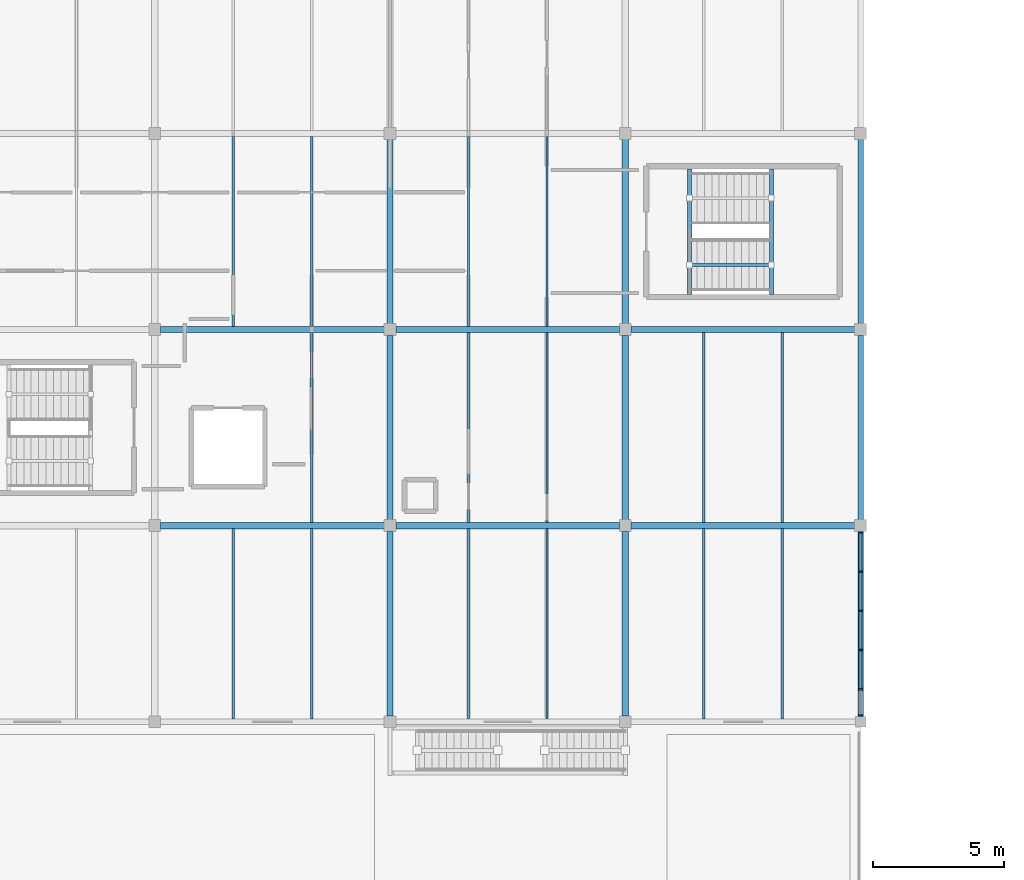
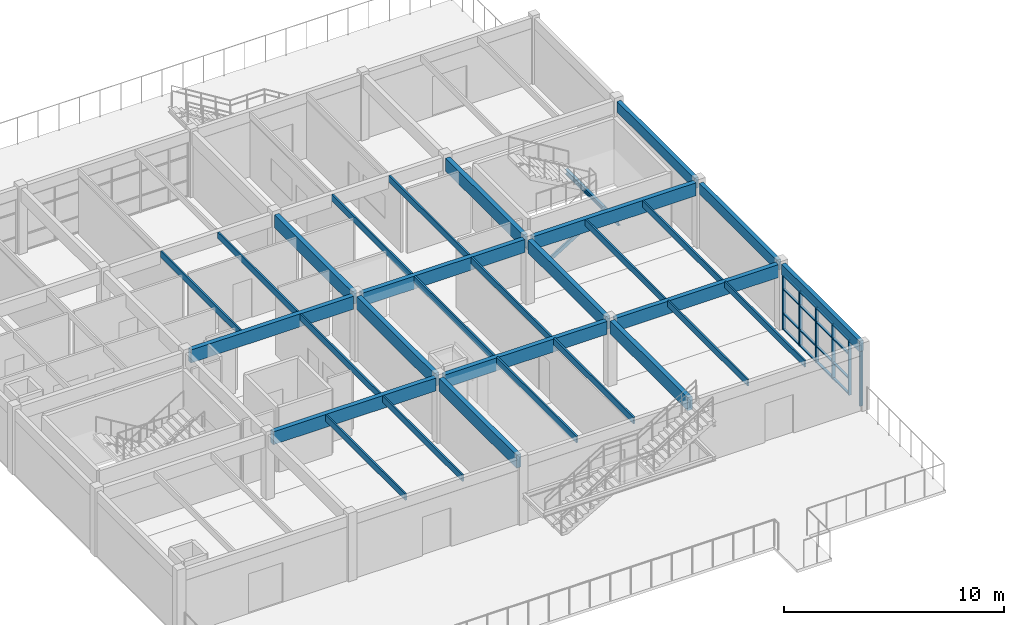
# One storey, part 10 of 45: 32 beams, 23 members, 1 element without a shape of its own.
"""IFC4 building model written with IfcOpenShell, lengths in metres."""

from ifc_helpers import new_model, si_unit, direction, frame, origin, origin_2d, place, context, subcontext, project, spatial, rectangle, hollow_rectangle, i_section, extrude, material, layer, layer_set, material_profile, profile_set, type_object, element, aggregate, save


model = new_model("IFC4")

# Units and contexts
model_context = context("Model", 3, precision=1e-05, world=origin(), true_north=direction((0.0, 1.0)))
body_context = subcontext(model_context, "Body", "Model", "MODEL_VIEW")
ifc_project = project(units=[si_unit("LENGTHUNIT", "METRE"), si_unit("AREAUNIT", "SQUARE_METRE"), si_unit("VOLUMEUNIT", "CUBIC_METRE"), si_unit("PLANEANGLEUNIT", "RADIAN"), si_unit("MASSUNIT", "GRAM", prefix="KILO")], contexts=[model_context])

# Site, building, storey
site_placement = place(None, origin())
site = spatial("IfcSite", under=ifc_project, at=site_placement, CompositionType="ELEMENT")
building_placement = place(site_placement, origin())
building = spatial("IfcBuilding", under=site, at=building_placement, Name="Marnridge Secondary College", CompositionType="ELEMENT")
storey_placement = place(building_placement, frame((0.0, 0.0, 12.300048828125)))
storey = spatial("IfcBuildingStorey", under=building, at=storey_placement, Name="L03", CompositionType="ELEMENT", Elevation=12.300048828125)

# Beams
ifc_material_1 = material(Name="Glulam timber GL18", Category="wood")
ifc_material_profile_1 = material_profile(ifc_material_1, rectangle(XDim=0.215087890625, YDim=0.5849609375, at=origin_2d()), Name="GL18 215x585")
ifc_profile_set_1 = profile_set([ifc_material_profile_1], Name="Glulam timber GL18")
beam_type_1 = type_object("IfcBeamType", Name="BM-GL585-EXT", PredefinedType="SPANDREL", material=ifc_profile_set_1)
for number, where, z_axis, x_axis, name in (
    (1, (90.0, 52.718994140625, 3.29736328125), (0.0, 1.0, 0.0), (-1.0, 0.0, 0.0), "Beam BS-L03-1061"),
    (2, (90.0, 60.218994140625, 3.29736328125), (0.0, 1.0, 0.0), (-1.0, 0.0, 0.0), "Beam BS-L03-1063"),
):
    element("IfcBeam", number, at=place(storey_placement, frame(where, z_axis=z_axis, x_axis=x_axis)), inside=storey, type_object=beam_type_1, Name=name, PredefinedType="SPANDREL", context=body_context, shape_type="SweptSolid", body=[
        extrude(rectangle(XDim=0.215087890625, YDim=0.5849609375, at=origin_2d()), origin(), (0.0, 0.0, 1.0), 7.06201171875),
    ])
beam_placement = place(storey_placement, frame((90.0, 45.194091796875, 3.347412109375), z_axis=(0.0, 1.0, 0.0), x_axis=(-1.0, 0.0, 0.0)))
element("IfcBeam", 3, at=beam_placement, inside=storey, type_object=beam_type_1, Name="Beam BS-L03-1081", PredefinedType="SPANDREL", context=body_context, shape_type="SweptSolid", body=[
    extrude(rectangle(XDim=0.215087890625, YDim=0.5849609375, at=origin_2d()), origin(), (0.0, 0.0, 1.0), 7.0869140625),
])
ifc_material_2 = material(Name="Glulam timber GL18", Category="wood")
ifc_material_profile_2 = material_profile(ifc_material_2, rectangle(XDim=0.239990234375, YDim=0.719970703125, at=origin_2d()), Name="GL18 240x720")
ifc_profile_set_2 = profile_set([ifc_material_profile_2], Name="Glulam timber GL18")
beam_type_2 = type_object("IfcBeamType", Name="BM-GL720-INT", PredefinedType="BEAM", material=ifc_profile_set_2)
for number, where, z_axis, x_axis, name in (
    (4, (63.218994140625, 52.5, 3.22998046875), (1.0, 0.0, 0.0), (0.0, 1.0, 0.0), "Beam B-L03-1049"),
    (5, (63.218994140625, 60.0, 3.22998046875), (1.0, 0.0, 0.0), (0.0, 1.0, 0.0), "Beam B-L03-1050"),
):
    element("IfcBeam", number, at=place(storey_placement, frame(where, z_axis=z_axis, x_axis=x_axis)), inside=storey, type_object=beam_type_2, Name=name, PredefinedType="BEAM", context=body_context, shape_type="SweptSolid", body=[
        extrude(rectangle(XDim=0.239990234375, YDim=0.719970703125, at=origin_2d()), origin(), (0.0, 0.0, 1.0), 8.56201171875),
    ])
for number, where, z_axis, x_axis, name in (
    (6, (72.0, 52.718994140625, 3.22998046875), (0.0, 1.0, 0.0), (-1.0, 0.0, 0.0), "Beam B-L03-1051"),
    (7, (72.0, 60.218994140625, 3.22998046875), (0.0, 1.0, 0.0), (-1.0, 0.0, 0.0), "Beam B-L03-1053"),
):
    element("IfcBeam", number, at=place(storey_placement, frame(where, z_axis=z_axis, x_axis=x_axis)), inside=storey, type_object=beam_type_2, Name=name, PredefinedType="BEAM", context=body_context, shape_type="SweptSolid", body=[
        extrude(rectangle(XDim=0.239990234375, YDim=0.719970703125, at=origin_2d()), origin(), (0.0, 0.0, 1.0), 7.06201171875),
    ])
for number, where, z_axis, x_axis, name in (
    (8, (72.218994140625, 52.5, 3.22998046875), (1.0, 0.0, 0.0), (0.0, 1.0, 0.0), "Beam B-L03-1054"),
    (9, (72.218994140625, 60.0, 3.22998046875), (1.0, 0.0, 0.0), (0.0, 1.0, 0.0), "Beam B-L03-1055"),
):
    element("IfcBeam", number, at=place(storey_placement, frame(where, z_axis=z_axis, x_axis=x_axis)), inside=storey, type_object=beam_type_2, Name=name, PredefinedType="BEAM", context=body_context, shape_type="SweptSolid", body=[
        extrude(rectangle(XDim=0.239990234375, YDim=0.719970703125, at=origin_2d()), origin(), (0.0, 0.0, 1.0), 8.56201171875),
    ])
for number, where, z_axis, x_axis, name in (
    (10, (81.0, 52.718994140625, 3.22998046875), (0.0, 1.0, 0.0), (-1.0, 0.0, 0.0), "Beam B-L03-1056"),
    (11, (81.0, 60.218994140625, 3.22998046875), (0.0, 1.0, 0.0), (-1.0, 0.0, 0.0), "Beam B-L03-1058"),
):
    element("IfcBeam", number, at=place(storey_placement, frame(where, z_axis=z_axis, x_axis=x_axis)), inside=storey, type_object=beam_type_2, Name=name, PredefinedType="BEAM", context=body_context, shape_type="SweptSolid", body=[
        extrude(rectangle(XDim=0.239990234375, YDim=0.719970703125, at=origin_2d()), origin(), (0.0, 0.0, 1.0), 7.06201171875),
    ])
for number, where, z_axis, x_axis, name in (
    (12, (81.218994140625, 52.5, 3.22998046875), (1.0, 0.0, 0.0), (0.0, 1.0, 0.0), "Beam B-L03-1059"),
    (13, (81.218994140625, 60.0, 3.22998046875), (1.0, 0.0, 0.0), (0.0, 1.0, 0.0), "Beam B-L03-1060"),
):
    element("IfcBeam", number, at=place(storey_placement, frame(where, z_axis=z_axis, x_axis=x_axis)), inside=storey, type_object=beam_type_2, Name=name, PredefinedType="BEAM", context=body_context, shape_type="SweptSolid", body=[
        extrude(rectangle(XDim=0.239990234375, YDim=0.719970703125, at=origin_2d()), origin(), (0.0, 0.0, 1.0), 8.56201171875),
    ])
for number, where, z_axis, x_axis, name in (
    (14, (72.0, 45.218994140625, 3.22998046875), (0.0, 1.0, 0.0), (-1.0, 0.0, 0.0), "Beam B-L03-1068"),
    (15, (81.0, 45.218994140625, 3.280029296875), (0.0, 1.0, 0.0), (-1.0, 0.0, 0.0), "Beam B-L03-1079"),
):
    element("IfcBeam", number, at=place(storey_placement, frame(where, z_axis=z_axis, x_axis=x_axis)), inside=storey, type_object=beam_type_2, Name=name, PredefinedType="BEAM", context=body_context, shape_type="SweptSolid", body=[
        extrude(rectangle(XDim=0.239990234375, YDim=0.719970703125, at=origin_2d()), origin(), (0.0, 0.0, 1.0), 7.06201171875),
    ])
ifc_material_3 = material(Name="Engineered timber LVL E13.2", Category="wood")
ifc_material_profile_3 = material_profile(ifc_material_3, rectangle(XDim=0.090087890625, YDim=0.360107421875, at=origin_2d()), Name="LVL 90x360")
ifc_profile_set_3 = profile_set([ifc_material_profile_3], Name="Engineered timber LVL E13.2")
beam_type_3 = type_object("IfcBeamType", Name="BM-LVL360-INT", PredefinedType="JOIST", material=ifc_profile_set_3)
for number, where, z_axis, x_axis, name in (
    (16, (69.0, 52.614013671875, 3.409912109375), (0.0, 1.0, 0.0), (-1.0, 0.0, 0.0), "Beam BJ-L03-1084"),
    (17, (66.0, 60.114013671875, 3.409912109375), (0.0, 1.0, 0.0), (-1.0, 0.0, 0.0), "Beam BJ-L03-1085"),
    (18, (69.0, 60.114013671875, 3.409912109375), (0.0, 1.0, 0.0), (-1.0, 0.0, 0.0), "Beam BJ-L03-1086"),
    (19, (75.0, 52.614013671875, 3.409912109375), (0.0, 1.0, 0.0), (-1.0, 0.0, 0.0), "Beam BJ-L03-1087"),
    (20, (78.0, 52.614013671875, 3.409912109375), (0.0, 1.0, 0.0), (-1.0, 0.0, 0.0), "Beam BJ-L03-1088"),
    (21, (75.0, 60.114013671875, 3.409912109375), (0.0, 1.0, 0.0), (-1.0, 0.0, 0.0), "Beam BJ-L03-1089"),
    (22, (78.0, 60.114013671875, 3.409912109375), (0.0, 1.0, 0.0), (-1.0, 0.0, 0.0), "Beam BJ-L03-1090"),
    (23, (84.0, 52.614013671875, 3.409912109375), (0.0, 1.0, 0.0), (-1.0, 0.0, 0.0), "Beam BJ-L03-1091"),
    (24, (87.0, 52.614013671875, 3.409912109375), (0.0, 1.0, 0.0), (-1.0, 0.0, 0.0), "Beam BJ-L03-1092"),
):
    element("IfcBeam", number, at=place(storey_placement, frame(where, z_axis=z_axis, x_axis=x_axis)), inside=storey, type_object=beam_type_3, Name=name, PredefinedType="JOIST", context=body_context, shape_type="SweptSolid", body=[
        extrude(rectangle(XDim=0.090087890625, YDim=0.360107421875, at=origin_2d()), origin(), (0.0, 0.0, 1.0), 7.27197265625),
    ])
for number, where, z_axis, x_axis, name in (
    (25, (66.0, 45.1015625, 3.409912109375), (0.0, 1.0, 0.0), (-1.0, 0.0, 0.0), "Beam BJ-L03-1095"),
    (26, (69.0, 45.1015625, 3.409912109375), (0.0, 1.0, 0.0), (-1.0, 0.0, 0.0), "Beam BJ-L03-1096"),
    (27, (75.0, 45.1015625, 3.4599609375), (0.0, 1.0, 0.0), (-1.0, 0.0, 0.0), "Beam BJ-L03-1105"),
    (28, (78.0, 45.1015625, 3.4599609375), (0.0, 1.0, 0.0), (-1.0, 0.0, 0.0), "Beam BJ-L03-1106"),
    (29, (84.0, 45.1015625, 3.4599609375), (0.0, 1.0, 0.0), (-1.0, 0.0, 0.0), "Beam BJ-L03-1107"),
    (30, (87.0, 45.1015625, 3.4599609375), (0.0, 1.0, 0.0), (-1.0, 0.0, 0.0), "Beam BJ-L03-1108"),
):
    element("IfcBeam", number, at=place(storey_placement, frame(where, z_axis=z_axis, x_axis=x_axis)), inside=storey, type_object=beam_type_3, Name=name, PredefinedType="JOIST", context=body_context, shape_type="SweptSolid", body=[
        extrude(rectangle(XDim=0.090087890625, YDim=0.360107421875, at=origin_2d()), origin(), (0.0, 0.0, 1.0), 7.284423828125),
    ])
ifc_material_4 = material(Name="Structural steel Grade 350 (AS/NZS 3679.1/.2, fy = 340-360 MPa)", Category="steel")
ifc_material_profile_4 = material_profile(ifc_material_4, i_section(OverallWidth=0.146240234375, OverallDepth=0.256103515625, WebThickness=0.00634765625, FlangeThickness=0.010986328125, FilletRadius=0.0087890625, at=origin_2d()), Name="250UB37.3")
ifc_profile_set_4 = profile_set([ifc_material_profile_4], Name="Structural steel Grade 350 (AS/NZS 3679.1/.2, fy = 340-360 MPa)")
beam_type_4 = type_object("IfcBeamType", Name="BM-UB250-EXT", PredefinedType="LINTEL", material=ifc_profile_set_4)
for number, where, z_axis, x_axis, name in (
    (31, (83.449951171875, 61.342041015625, -0.358154296875), (0.0, 1.0, 0.0), (-1.0, 0.0, 0.0), "Stair landing trimmer beam BT-L03-016"),
    (32, (86.5849609375, 61.342041015625, 1.57177734375), (0.0, 1.0, 0.0), (-1.0, 0.0, 0.0), "Stair landing trimmer beam BT-L03-017"),
):
    element("IfcBeam", number, at=place(storey_placement, frame(where, z_axis=z_axis, x_axis=x_axis)), inside=storey, type_object=beam_type_4, Name=name, PredefinedType="LINTEL", context=body_context, shape_type="SweptSolid", body=[
        extrude(i_section(OverallWidth=0.146240234375, OverallDepth=0.256103515625, WebThickness=0.00634765625, FlangeThickness=0.010986328125, FilletRadius=0.0087890625, at=origin_2d()), origin(), (0.0, 0.0, 1.0), 4.802978515625),
    ])

# Curtain wall, members
ifc_material_5 = material(Name="Thermally broken aluminium and low-E glazing", Category="aluminium")
ifc_layer = layer(ifc_material_5, 0.159912109375)
ifc_layer_set = layer_set([ifc_layer], Name="CW-MOD-1500")
curtain_wall_type = type_object("IfcCurtainWallType", Name="CW-MOD-1500", PredefinedType="NOTDEFINED", material=ifc_layer_set)
curtain_wall_placement = place(storey_placement, origin())
curtain_wall = element("IfcCurtainWall", 33, at=curtain_wall_placement, inside=storey, type_object=curtain_wall_type, Name="Unitised curtain wall CW-L03-116", PredefinedType="NOTDEFINED")
ifc_material_6 = material(Name="Anodised aluminium 6063-T6", Category="aluminium")
ifc_material_profile_5 = material_profile(ifc_material_6, rectangle(XDim=0.06005859375, YDim=0.159912109375, at=origin_2d()), Name="ALU 60x160")
ifc_profile_set_5 = profile_set([ifc_material_profile_5], Name="Anodised aluminium 6063-T6")
member_type_1 = type_object("IfcMemberType", Name="CWM-ALU160", PredefinedType="MULLION", material=ifc_profile_set_5)
member_1_placement = place(storey_placement, frame((90.0, 52.240966796875, 0.0), z_axis=(0.0, 0.0, 1.0), x_axis=(0.0, -1.0, 0.0)))
member_1 = element("IfcMember", 34, at=member_1_placement, type_object=member_type_1, Name="CW-L03-116 mullion 1", PredefinedType="MULLION", context=body_context, shape_type="SweptSolid", body=[
    extrude(rectangle(XDim=0.06005859375, YDim=0.159912109375, at=origin_2d()), origin(), (0.0, 0.0, 1.0), 3.046875),
])
member_2_placement = place(storey_placement, frame((90.0, 50.740966796875, 0.0), z_axis=(0.0, 0.0, 1.0), x_axis=(0.0, -1.0, 0.0)))
member_2 = element("IfcMember", 35, at=member_2_placement, type_object=member_type_1, Name="CW-L03-116 mullion 2", PredefinedType="MULLION", context=body_context, shape_type="SweptSolid", body=[
    extrude(rectangle(XDim=0.06005859375, YDim=0.159912109375, at=origin_2d()), origin(), (0.0, 0.0, 1.0), 3.046875),
])
member_3_placement = place(storey_placement, frame((90.0, 49.240966796875, 0.0), z_axis=(0.0, 0.0, 1.0), x_axis=(0.0, -1.0, 0.0)))
member_3 = element("IfcMember", 36, at=member_3_placement, type_object=member_type_1, Name="CW-L03-116 mullion 3", PredefinedType="MULLION", context=body_context, shape_type="SweptSolid", body=[
    extrude(rectangle(XDim=0.06005859375, YDim=0.159912109375, at=origin_2d()), origin(), (0.0, 0.0, 1.0), 3.046875),
])
member_4_placement = place(storey_placement, frame((90.0, 47.740966796875, 0.0), z_axis=(0.0, 0.0, 1.0), x_axis=(0.0, -1.0, 0.0)))
member_4 = element("IfcMember", 37, at=member_4_placement, type_object=member_type_1, Name="CW-L03-116 mullion 4", PredefinedType="MULLION", context=body_context, shape_type="SweptSolid", body=[
    extrude(rectangle(XDim=0.06005859375, YDim=0.159912109375, at=origin_2d()), origin(), (0.0, 0.0, 1.0), 3.046875),
])
member_5_placement = place(storey_placement, frame((90.0, 46.240966796875, 0.0), z_axis=(0.0, 0.0, 1.0), x_axis=(0.0, -1.0, 0.0)))
member_5 = element("IfcMember", 38, at=member_5_placement, type_object=member_type_1, Name="CW-L03-116 mullion 5", PredefinedType="MULLION", context=body_context, shape_type="SweptSolid", body=[
    extrude(rectangle(XDim=0.06005859375, YDim=0.159912109375, at=origin_2d()), origin(), (0.0, 0.0, 1.0), 3.046875),
])
member_6_placement = place(storey_placement, frame((90.0, 45.23388671875, 0.0), z_axis=(0.0, 0.0, 1.0), x_axis=(0.0, -1.0, 0.0)))
member_6 = element("IfcMember", 39, at=member_6_placement, type_object=member_type_1, Name="CW-L03-116 mullion 6", PredefinedType="MULLION", context=body_context, shape_type="SweptSolid", body=[
    extrude(rectangle(XDim=0.06005859375, YDim=0.159912109375, at=origin_2d()), origin(), (0.0, 0.0, 1.0), 3.046875),
])
ifc_material_7 = material(Name="Anodised aluminium 6063-T6", Category="aluminium")
ifc_material_profile_6 = material_profile(ifc_material_7, rectangle(XDim=0.06005859375, YDim=0.1201171875, at=origin_2d()), Name="ALU 60x120")
ifc_profile_set_6 = profile_set([ifc_material_profile_6], Name="Anodised aluminium 6063-T6")
member_type_2 = type_object("IfcMemberType", Name="CWT-ALU120", PredefinedType="USERDEFINED", material=ifc_profile_set_6)
member_7_placement = place(storey_placement, frame((90.0, 52.2109375, 0.030029296875), z_axis=(0.0, -1.0, 0.0), x_axis=(0.0, 0.0, 1.0)))
member_7 = element("IfcMember", 40, at=member_7_placement, type_object=member_type_2, Name="CW-L03-116 transom 1.1", ObjectType="TRANSOM", PredefinedType="USERDEFINED", context=body_context, shape_type="SweptSolid", body=[
    extrude(rectangle(XDim=0.06005859375, YDim=0.1201171875, at=origin_2d()), origin(), (0.0, 0.0, 1.0), 1.43994140625),
])
member_8_placement = place(storey_placement, frame((90.0, 52.2109375, 0.89990234375), z_axis=(0.0, -1.0, 0.0), x_axis=(0.0, 0.0, 1.0)))
member_8 = element("IfcMember", 41, at=member_8_placement, type_object=member_type_2, Name="CW-L03-116 transom 1.2", ObjectType="TRANSOM", PredefinedType="USERDEFINED", context=body_context, shape_type="SweptSolid", body=[
    extrude(rectangle(XDim=0.06005859375, YDim=0.1201171875, at=origin_2d()), origin(), (0.0, 0.0, 1.0), 1.43994140625),
])
member_9_placement = place(storey_placement, frame((90.0, 52.2109375, 2.25), z_axis=(0.0, -1.0, 0.0), x_axis=(0.0, 0.0, 1.0)))
member_9 = element("IfcMember", 42, at=member_9_placement, type_object=member_type_2, Name="CW-L03-116 transom 1.3", ObjectType="TRANSOM", PredefinedType="USERDEFINED", context=body_context, shape_type="SweptSolid", body=[
    extrude(rectangle(XDim=0.06005859375, YDim=0.1201171875, at=origin_2d()), origin(), (0.0, 0.0, 1.0), 1.43994140625),
])
member_10_placement = place(storey_placement, frame((90.0, 52.2109375, 3.016845703125), z_axis=(0.0, -1.0, 0.0), x_axis=(0.0, 0.0, 1.0)))
member_10 = element("IfcMember", 43, at=member_10_placement, type_object=member_type_2, Name="CW-L03-116 transom 1.4", ObjectType="TRANSOM", PredefinedType="USERDEFINED", context=body_context, shape_type="SweptSolid", body=[
    extrude(rectangle(XDim=0.06005859375, YDim=0.1201171875, at=origin_2d()), origin(), (0.0, 0.0, 1.0), 1.43994140625),
])
member_11_placement = place(storey_placement, frame((90.0, 50.7109375, 0.030029296875), z_axis=(0.0, -1.0, 0.0), x_axis=(0.0, 0.0, 1.0)))
member_11 = element("IfcMember", 44, at=member_11_placement, type_object=member_type_2, Name="CW-L03-116 transom 2.1", ObjectType="TRANSOM", PredefinedType="USERDEFINED", context=body_context, shape_type="SweptSolid", body=[
    extrude(rectangle(XDim=0.06005859375, YDim=0.1201171875, at=origin_2d()), origin(), (0.0, 0.0, 1.0), 1.43994140625),
])
member_12_placement = place(storey_placement, frame((90.0, 50.7109375, 0.89990234375), z_axis=(0.0, -1.0, 0.0), x_axis=(0.0, 0.0, 1.0)))
member_12 = element("IfcMember", 45, at=member_12_placement, type_object=member_type_2, Name="CW-L03-116 transom 2.2", ObjectType="TRANSOM", PredefinedType="USERDEFINED", context=body_context, shape_type="SweptSolid", body=[
    extrude(rectangle(XDim=0.06005859375, YDim=0.1201171875, at=origin_2d()), origin(), (0.0, 0.0, 1.0), 1.43994140625),
])
member_13_placement = place(storey_placement, frame((90.0, 50.7109375, 2.25), z_axis=(0.0, -1.0, 0.0), x_axis=(0.0, 0.0, 1.0)))
member_13 = element("IfcMember", 46, at=member_13_placement, type_object=member_type_2, Name="CW-L03-116 transom 2.3", ObjectType="TRANSOM", PredefinedType="USERDEFINED", context=body_context, shape_type="SweptSolid", body=[
    extrude(rectangle(XDim=0.06005859375, YDim=0.1201171875, at=origin_2d()), origin(), (0.0, 0.0, 1.0), 1.43994140625),
])
member_14_placement = place(storey_placement, frame((90.0, 50.7109375, 3.016845703125), z_axis=(0.0, -1.0, 0.0), x_axis=(0.0, 0.0, 1.0)))
member_14 = element("IfcMember", 47, at=member_14_placement, type_object=member_type_2, Name="CW-L03-116 transom 2.4", ObjectType="TRANSOM", PredefinedType="USERDEFINED", context=body_context, shape_type="SweptSolid", body=[
    extrude(rectangle(XDim=0.06005859375, YDim=0.1201171875, at=origin_2d()), origin(), (0.0, 0.0, 1.0), 1.43994140625),
])
member_15_placement = place(storey_placement, frame((90.0, 49.2109375, 0.030029296875), z_axis=(0.0, -1.0, 0.0), x_axis=(0.0, 0.0, 1.0)))
member_15 = element("IfcMember", 48, at=member_15_placement, type_object=member_type_2, Name="CW-L03-116 transom 3.1", ObjectType="TRANSOM", PredefinedType="USERDEFINED", context=body_context, shape_type="SweptSolid", body=[
    extrude(rectangle(XDim=0.06005859375, YDim=0.1201171875, at=origin_2d()), origin(), (0.0, 0.0, 1.0), 1.43994140625),
])
member_16_placement = place(storey_placement, frame((90.0, 49.2109375, 0.89990234375), z_axis=(0.0, -1.0, 0.0), x_axis=(0.0, 0.0, 1.0)))
member_16 = element("IfcMember", 49, at=member_16_placement, type_object=member_type_2, Name="CW-L03-116 transom 3.2", ObjectType="TRANSOM", PredefinedType="USERDEFINED", context=body_context, shape_type="SweptSolid", body=[
    extrude(rectangle(XDim=0.06005859375, YDim=0.1201171875, at=origin_2d()), origin(), (0.0, 0.0, 1.0), 1.43994140625),
])
member_17_placement = place(storey_placement, frame((90.0, 49.2109375, 2.25), z_axis=(0.0, -1.0, 0.0), x_axis=(0.0, 0.0, 1.0)))
member_17 = element("IfcMember", 50, at=member_17_placement, type_object=member_type_2, Name="CW-L03-116 transom 3.3", ObjectType="TRANSOM", PredefinedType="USERDEFINED", context=body_context, shape_type="SweptSolid", body=[
    extrude(rectangle(XDim=0.06005859375, YDim=0.1201171875, at=origin_2d()), origin(), (0.0, 0.0, 1.0), 1.43994140625),
])
member_18_placement = place(storey_placement, frame((90.0, 49.2109375, 3.016845703125), z_axis=(0.0, -1.0, 0.0), x_axis=(0.0, 0.0, 1.0)))
member_18 = element("IfcMember", 51, at=member_18_placement, type_object=member_type_2, Name="CW-L03-116 transom 3.4", ObjectType="TRANSOM", PredefinedType="USERDEFINED", context=body_context, shape_type="SweptSolid", body=[
    extrude(rectangle(XDim=0.06005859375, YDim=0.1201171875, at=origin_2d()), origin(), (0.0, 0.0, 1.0), 1.43994140625),
])
member_19_placement = place(storey_placement, frame((90.0, 47.7109375, 0.030029296875), z_axis=(0.0, -1.0, 0.0), x_axis=(0.0, 0.0, 1.0)))
member_19 = element("IfcMember", 52, at=member_19_placement, type_object=member_type_2, Name="CW-L03-116 transom 4.1", ObjectType="TRANSOM", PredefinedType="USERDEFINED", context=body_context, shape_type="SweptSolid", body=[
    extrude(rectangle(XDim=0.06005859375, YDim=0.1201171875, at=origin_2d()), origin(), (0.0, 0.0, 1.0), 1.43994140625),
])
member_20_placement = place(storey_placement, frame((90.0, 47.7109375, 0.89990234375), z_axis=(0.0, -1.0, 0.0), x_axis=(0.0, 0.0, 1.0)))
member_20 = element("IfcMember", 53, at=member_20_placement, type_object=member_type_2, Name="CW-L03-116 transom 4.2", ObjectType="TRANSOM", PredefinedType="USERDEFINED", context=body_context, shape_type="SweptSolid", body=[
    extrude(rectangle(XDim=0.06005859375, YDim=0.1201171875, at=origin_2d()), origin(), (0.0, 0.0, 1.0), 1.43994140625),
])
member_21_placement = place(storey_placement, frame((90.0, 47.7109375, 2.25), z_axis=(0.0, -1.0, 0.0), x_axis=(0.0, 0.0, 1.0)))
member_21 = element("IfcMember", 54, at=member_21_placement, type_object=member_type_2, Name="CW-L03-116 transom 4.3", ObjectType="TRANSOM", PredefinedType="USERDEFINED", context=body_context, shape_type="SweptSolid", body=[
    extrude(rectangle(XDim=0.06005859375, YDim=0.1201171875, at=origin_2d()), origin(), (0.0, 0.0, 1.0), 1.43994140625),
])
member_22_placement = place(storey_placement, frame((90.0, 47.7109375, 3.016845703125), z_axis=(0.0, -1.0, 0.0), x_axis=(0.0, 0.0, 1.0)))
member_22 = element("IfcMember", 55, at=member_22_placement, type_object=member_type_2, Name="CW-L03-116 transom 4.4", ObjectType="TRANSOM", PredefinedType="USERDEFINED", context=body_context, shape_type="SweptSolid", body=[
    extrude(rectangle(XDim=0.06005859375, YDim=0.1201171875, at=origin_2d()), origin(), (0.0, 0.0, 1.0), 1.43994140625),
])
aggregate(curtain_wall, [member_1, member_2, member_3, member_4, member_5, member_6, member_7, member_8, member_9, member_10, member_11, member_12, member_13, member_14, member_15, member_16, member_17, member_18, member_19, member_20, member_21, member_22])

# Member
ifc_material_8 = material(Name="Cold-formed steel Grade C350L0 (AS/NZS 1163, fy = 350 MPa)", Category="steel")
ifc_material_profile_7 = material_profile(ifc_material_8, hollow_rectangle(XDim=0.10009765625, YDim=0.199951171875, WallThickness=0.006103515625, at=origin_2d()), Name="200x100x6.0RHS")
ifc_profile_set_7 = profile_set([ifc_material_profile_7], Name="Cold-formed steel Grade C350L0 (AS/NZS 1163, fy = 350 MPa)")
member_type_3 = type_object("IfcMemberType", Name="MB-STR-RHS200", PredefinedType="STRINGER", material=ifc_profile_set_7)
member_23_placement = place(storey_placement, frame((83.449951171875, 62.469970703125, -0.137939453125), z_axis=(0.851574057746, 0.0, 0.52423432182), x_axis=(0.0, 1.0, 0.0)))
element("IfcMember", 56, at=member_23_placement, inside=storey, type_object=member_type_3, Name="Stair stringer STR-017", PredefinedType="STRINGER", context=body_context, shape_type="SweptSolid", body=[
    extrude(hollow_rectangle(XDim=0.10009765625, YDim=0.199951171875, WallThickness=0.006103515625, at=origin_2d()), origin(), (0.0, 0.0, 1.0), 3.681396484375),
])

save(model, "model.ifc")
